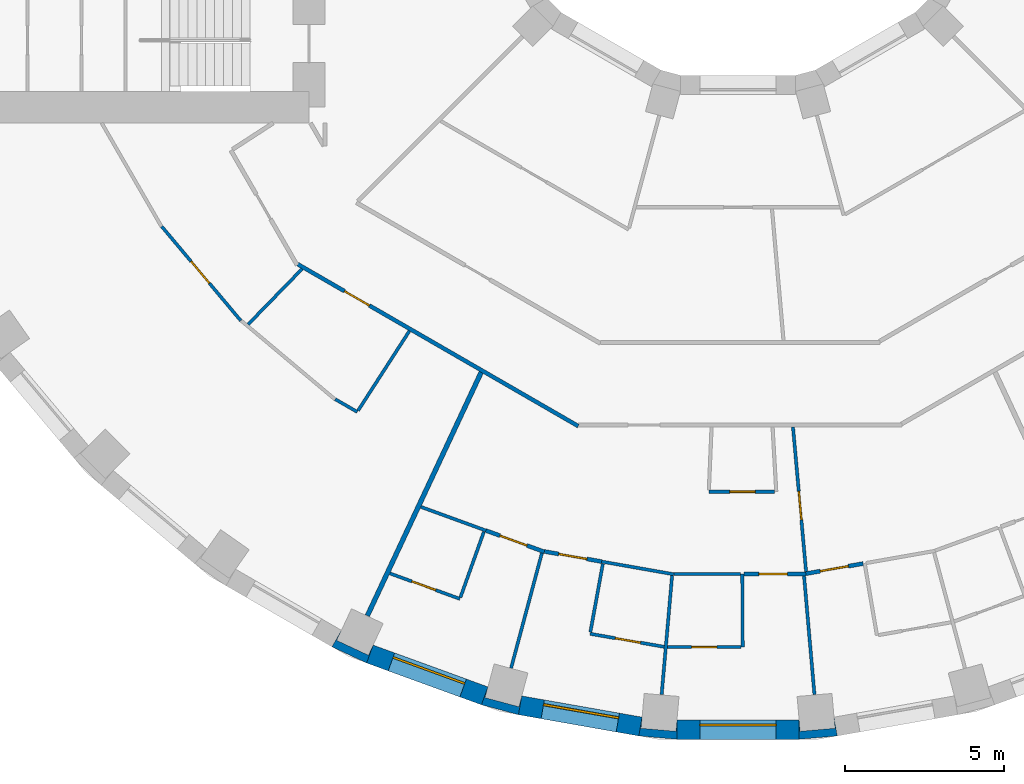
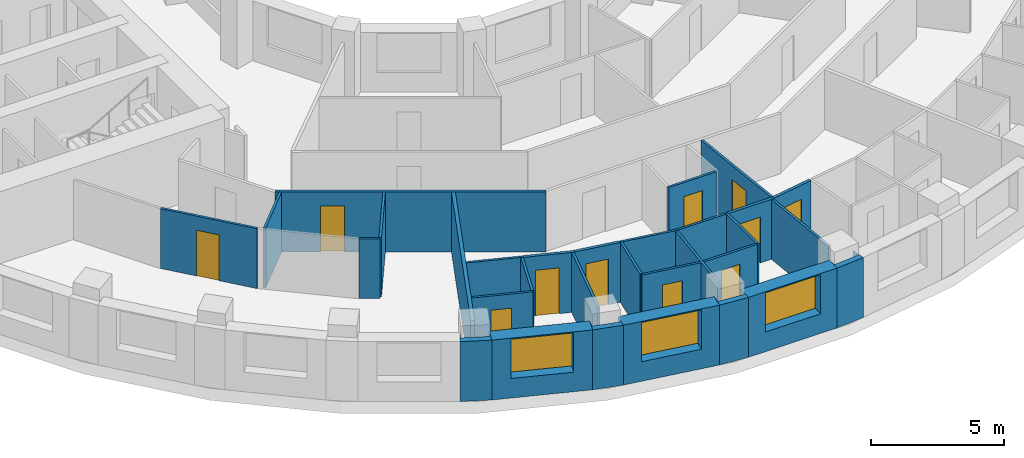
# One storey, part 4 of 15: 31 walls, 11 doors, 3 windows, 14 openings.
"""IFC4 building model written with IfcOpenShell, lengths in metres."""

from ifc_helpers import new_model, si_unit, direction, frame, frame_2d, origin, place, context, subcontext, project, spatial, polyline, rectangle, outline, extrude, material, layer, layer_set, type_object, element, fill, save


model = new_model("IFC4")

# Units and contexts
model_context = context("Model", 3, precision=1e-05, world=origin(), true_north=direction((0.0, 1.0)))
body_context = subcontext(model_context, "Body", "Model", "MODEL_VIEW")
ifc_project = project(units=[si_unit("LENGTHUNIT", "METRE"), si_unit("AREAUNIT", "SQUARE_METRE"), si_unit("VOLUMEUNIT", "CUBIC_METRE"), si_unit("PLANEANGLEUNIT", "RADIAN"), si_unit("MASSUNIT", "GRAM", prefix="KILO")], contexts=[model_context])

# Site, building, storey
site_placement = place(None, origin())
site = spatial("IfcSite", under=ifc_project, at=site_placement, CompositionType="ELEMENT")
building_placement = place(site_placement, origin())
building = spatial("IfcBuilding", under=site, at=building_placement, Name="Saqina Gate Tower", CompositionType="ELEMENT")
storey_placement = place(building_placement, frame((0.0, 0.0, 59.300048828125)))
storey = spatial("IfcBuildingStorey", under=building, at=storey_placement, Name="L16", CompositionType="ELEMENT", Elevation=59.300048828125)

# Walls
ifc_material_1 = material(Name="Brick masonry (red)", Category="masonry")
wall_type_1 = type_object("IfcWallType", Name="BRICK PIER COPING RED", PredefinedType="SOLIDWALL", material=ifc_material_1)
wall_1_placement = place(storey_placement, origin())
element("IfcWall", 1, at=wall_1_placement, inside=storey, type_object=wall_type_1, Name="Pier cap L16 column 25", PredefinedType="SOLIDWALL", context=body_context, shape_type="SweptSolid", body=[
    extrude(outline(polyline([(-11.687744140625, -26.48974609375), (-11.482666015625, -25.92578125), (-11.630615234375, -26.243408203125), (-12.627685546875, -25.778564453125), (-12.4794921875, -25.4609375), (-12.779541015625, -25.980712890625), (-11.687744140625, -26.48974609375)])), origin(), (0.0, 0.0, 1.0), 2.75),
])
wall_2_placement = place(storey_placement, origin())
element("IfcWall", 2, at=wall_2_placement, inside=storey, type_object=wall_type_1, Name="Pier cap L16 column 26", PredefinedType="SOLIDWALL", context=body_context, shape_type="SweptSolid", body=[
    extrude(outline(polyline([(-6.910400390625, -28.11669921875), (-6.80615234375, -27.52587890625), (-6.896728515625, -27.864501953125), (-7.95947265625, -27.57958984375), (-7.86865234375, -27.2412109375), (-8.073974609375, -27.80517578125), (-6.910400390625, -28.11669921875)])), origin(), (0.0, 0.0, 1.0), 2.75),
])
wall_3_placement = place(storey_placement, origin())
element("IfcWall", 3, at=wall_3_placement, inside=storey, type_object=wall_type_1, Name="Pier cap L16 column 27", PredefinedType="SOLIDWALL", context=body_context, shape_type="SweptSolid", body=[
    extrude(outline(polyline([(-3.122802734375, -28.78466796875), (-1.9228515625, -28.8896484375), (-1.9228515625, -28.28955078125), (-1.95361328125, -28.638671875), (-3.04931640625, -28.54296875), (-3.018798828125, -28.19384765625), (-3.122802734375, -28.78466796875)])), origin(), (0.0, 0.0, 1.0), 2.75),
])
wall_4_placement = place(storey_placement, origin())
element("IfcWall", 4, at=wall_4_placement, inside=storey, type_object=wall_type_1, Name="Pier cap L16 column 28", PredefinedType="SOLIDWALL", context=body_context, shape_type="SweptSolid", body=[
    extrude(outline(polyline([(1.9228515625, -28.8896484375), (3.122802734375, -28.78466796875), (3.018798828125, -28.19384765625), (3.04931640625, -28.54296875), (1.95361328125, -28.638671875), (1.9228515625, -28.28955078125), (1.9228515625, -28.8896484375)])), origin(), (0.0, 0.0, 1.0), 2.75),
])

# Wall, opening, window
ifc_material_2 = material(Name="Brick masonry (red)", Category="masonry")
ifc_layer_1 = layer(ifc_material_2, 0.60009765625)
ifc_layer_set_1 = layer_set([ifc_layer_1], Name="FW-BRICK-RED")
wall_type_2 = type_object("IfcWallType", Name="FW-BRICK-RED", PredefinedType="SOLIDWALL", material=ifc_layer_set_1)
wall_5_placement = place(storey_placement, frame((-11.585205078125, -26.207763671875, 0.0), z_axis=(0.0, 0.0, 1.0), x_axis=(0.939689588564, -0.342028474173, 0.0)))
wall_5 = element("IfcWall", 5, at=wall_5_placement, inside=storey, type_object=wall_type_2, Name="Facade wall L16 facet 25", PredefinedType="SOLIDWALL", context=body_context, shape_type="SweptSolid", body=[
    extrude(rectangle(XDim=3.845947265625, YDim=0.60009765625, at=frame_2d((1.9228515625, 0.0))), origin(), (0.0, 0.0, 1.0), 2.75),
])
opening_1_placement = place(wall_5_placement, frame((0.722900390625, 0.0, 0.89990234375)))
opening_1 = element("IfcOpeningElement", 6, at=opening_1_placement, cuts=wall_5, Name="Opening G04-W15", PredefinedType="OPENING", context=body_context, shape_type="SweptSolid", body=[
    extrude(rectangle(XDim=2.39990234375, YDim=1.800048828125, at=frame_2d((1.199951171875, 0.89990234375))), frame((0.0, 0.31201171875, 0.0), z_axis=(0.0, -1.0, 0.0), x_axis=(1.0, 0.0, 0.0)), (0.0, 0.0, 1.0), 0.6240234375),
])
ifc_material_3 = material(Name="Aluminium glazing", Category="aluminium")
window_type = type_object("IfcWindowType", Name="WN-A", PartitioningType="SINGLE_PANEL", PredefinedType="WINDOW", material=ifc_material_3)
window_1_placement = place(opening_1_placement, origin())
window_1 = element("IfcWindow", 7, at=window_1_placement, inside=storey, type_object=window_type, Name="Window L16 facet 25", OverallHeight=1.800048828125, OverallWidth=2.39990234375, PartitioningType="SINGLE_PANEL", PredefinedType="WINDOW", context=body_context, shape_type="SweptSolid", body=[
    extrude(rectangle(XDim=2.39990234375, YDim=1.800048828125, at=frame_2d((1.199951171875, 0.89990234375))), frame((0.0, 0.179931640625, 0.0), z_axis=(0.0, -1.0, 0.0), x_axis=(1.0, 0.0, 0.0)), (0.0, 0.0, 1.0), 0.06005859375),
])
fill(opening_1, window_1)

wall_6_placement = place(storey_placement, frame((-6.858154296875, -27.8212890625, 0.0), z_axis=(0.0, 0.0, 1.0), x_axis=(0.984800809218, -0.173687553279, 0.0)))
wall_6 = element("IfcWall", 8, at=wall_6_placement, inside=storey, type_object=wall_type_2, Name="Facade wall L16 facet 26", PredefinedType="SOLIDWALL", context=body_context, shape_type="SweptSolid", body=[
    extrude(rectangle(XDim=3.845703125, YDim=0.60009765625, at=frame_2d((1.9228515625, 0.0))), origin(), (0.0, 0.0, 1.0), 2.75),
])
opening_2_placement = place(wall_6_placement, frame((0.722900390625, 0.0, 0.89990234375)))
opening_2 = element("IfcOpeningElement", 9, at=opening_2_placement, cuts=wall_6, Name="Opening G04-W16", PredefinedType="OPENING", context=body_context, shape_type="SweptSolid", body=[
    extrude(rectangle(XDim=2.39990234375, YDim=1.800048828125, at=frame_2d((1.199951171875, 0.89990234375))), frame((0.0, 0.31201171875, 0.0), z_axis=(0.0, -1.0, 0.0), x_axis=(1.0, 0.0, 0.0)), (0.0, 0.0, 1.0), 0.6240234375),
])
window_2_placement = place(opening_2_placement, origin())
window_2 = element("IfcWindow", 10, at=window_2_placement, inside=storey, type_object=window_type, Name="Window L16 facet 26", OverallHeight=1.800048828125, OverallWidth=2.39990234375, PartitioningType="SINGLE_PANEL", PredefinedType="WINDOW", context=body_context, shape_type="SweptSolid", body=[
    extrude(rectangle(XDim=2.39990234375, YDim=1.800048828125, at=frame_2d((1.199951171875, 0.89990234375))), frame((0.0, 0.179931640625, 0.0), z_axis=(0.0, -1.0, 0.0), x_axis=(1.0, 0.0, 0.0)), (0.0, 0.0, 1.0), 0.06005859375),
])
fill(opening_2, window_2)

wall_7_placement = place(storey_placement, frame((-1.9228515625, -28.589599609375, 0.0), z_axis=(0.0, 0.0, 1.0), x_axis=(1.0, 0.0, 0.0)))
wall_7 = element("IfcWall", 11, at=wall_7_placement, inside=storey, type_object=wall_type_2, Name="Facade wall L16 facet 27", PredefinedType="SOLIDWALL", context=body_context, shape_type="SweptSolid", body=[
    extrude(rectangle(XDim=3.845703125, YDim=0.60009765625, at=frame_2d((1.9228515625, 0.0))), origin(), (0.0, 0.0, 1.0), 2.75),
])
opening_3_placement = place(wall_7_placement, frame((0.722900390625, 0.0, 0.89990234375)))
opening_3 = element("IfcOpeningElement", 12, at=opening_3_placement, cuts=wall_7, Name="Opening G04-W17", PredefinedType="OPENING", context=body_context, shape_type="SweptSolid", body=[
    extrude(rectangle(XDim=2.39990234375, YDim=1.800048828125, at=frame_2d((1.199951171875, 0.89990234375))), frame((0.0, 0.31201171875, 0.0), z_axis=(0.0, -1.0, 0.0), x_axis=(1.0, 0.0, 0.0)), (0.0, 0.0, 1.0), 0.6240234375),
])
window_3_placement = place(opening_3_placement, origin())
window_3 = element("IfcWindow", 13, at=window_3_placement, inside=storey, type_object=window_type, Name="Window L16 facet 27", OverallHeight=1.800048828125, OverallWidth=2.39990234375, PartitioningType="SINGLE_PANEL", PredefinedType="WINDOW", context=body_context, shape_type="SweptSolid", body=[
    extrude(rectangle(XDim=2.39990234375, YDim=1.800048828125, at=frame_2d((1.199951171875, 0.89990234375))), frame((0.0, 0.179931640625, 0.0), z_axis=(0.0, -1.0, 0.0), x_axis=(1.0, 0.0, 0.0)), (0.0, 0.0, 1.0), 0.06005859375),
])
fill(opening_3, window_3)

# Walls
ifc_material_4 = material(Name="Gypsum board on steel studs, 100 mm", Category="steel")
ifc_layer_2 = layer(ifc_material_4, 0.10009765625)
ifc_layer_set_2 = layer_set([ifc_layer_2], Name="PARTITION 100")
wall_type_3 = type_object("IfcWallType", Name="PARTITION 100", PredefinedType="PARTITIONING", material=ifc_layer_set_2)
wall_8_placement = place(storey_placement, frame((0.133056640625, -23.68994140625, 0.0), z_axis=(0.0, 0.0, 1.0), x_axis=(0.005625640731, -0.999984175958, 0.0)))
element("IfcWall", 14, at=wall_8_placement, inside=storey, type_object=wall_type_3, Name="PARTITION PW3-01", PredefinedType="PARTITIONING", context=body_context, shape_type="SweptSolid", body=[
    extrude(rectangle(XDim=2.300048828125, YDim=0.10009765625, at=frame_2d((1.14990234375, 0.0))), origin(), (0.0, 0.0, 1.0), 2.75),
])
wall_9_placement = place(storey_placement, frame((2.07666015625, -23.75244140625, 0.0), z_axis=(0.0, 0.0, 1.0), x_axis=(0.087439331166, -0.996169846645, 0.0)))
element("IfcWall", 15, at=wall_9_placement, inside=storey, type_object=wall_type_3, Name="PARTITION PW3-03", PredefinedType="PARTITIONING", context=body_context, shape_type="SweptSolid", body=[
    extrude(rectangle(XDim=3.7470703125, YDim=0.10009765625, at=frame_2d((1.87353515625, 0.0))), origin(), (0.0, 0.0, 1.0), 2.75),
])

# Wall, opening, door
wall_10_placement = place(storey_placement, frame((1.7275390625, -19.062255859375, 0.0), z_axis=(0.0, 0.0, 1.0), x_axis=(0.090314228744, -0.995913319565, 0.0)))
wall_10 = element("IfcWall", 16, at=wall_10_placement, inside=storey, type_object=wall_type_3, Name="PARTITION PW3-06", PredefinedType="PARTITIONING", context=body_context, shape_type="SweptSolid", body=[
    extrude(rectangle(XDim=4.5712890625, YDim=0.10009765625, at=frame_2d((2.28564453125, 0.0))), origin(), (0.0, 0.0, 1.0), 2.75),
])
opening_4_placement = place(wall_10_placement, frame((2.03564453125, 0.0, 0.0)))
opening_4 = element("IfcOpeningElement", 17, at=opening_4_placement, cuts=wall_10, Name="Opening G04-D51", PredefinedType="OPENING", context=body_context, shape_type="SweptSolid", body=[
    extrude(rectangle(XDim=0.89990234375, YDim=2.10009765625, at=frame_2d((0.449951171875, 1.050048828125))), frame((0.0, 0.06201171875, 0.0), z_axis=(0.0, -1.0, 0.0), x_axis=(1.0, 0.0, 0.0)), (0.0, 0.0, 1.0), 0.1240234375),
])
ifc_material_5 = material(Name="Timber door leaf, 900 mm", Category="wood")
door_type_1 = type_object("IfcDoorType", Name="DOOR 900 TIMBER", OperationType="SINGLE_SWING_LEFT", PredefinedType="DOOR", material=ifc_material_5)
door_1_placement = place(opening_4_placement, frame((0.89990234375, 0.0, 0.0), z_axis=(0.0, 0.0, 1.0), x_axis=(-1.0, 0.0, 0.0)))
door_1 = element("IfcDoor", 18, at=door_1_placement, inside=storey, type_object=door_type_1, Name="DOOR G04-D51", OperationType="SINGLE_SWING_RIGHT", OverallHeight=2.10009765625, OverallWidth=0.89990234375, PredefinedType="DOOR", context=body_context, shape_type="SweptSolid", body=[
    extrude(rectangle(XDim=0.89990234375, YDim=2.10009765625, at=frame_2d((0.449951171875, 1.050048828125))), frame((0.0, 0.02490234375, 0.0), z_axis=(0.0, -1.0, 0.0), x_axis=(1.0, 0.0, 0.0)), (0.0, 0.0, 1.0), 0.050048828125),
])
fill(opening_4, door_1)

wall_11_placement = place(storey_placement, frame((-18.1318359375, -12.75634765625, 0.0), z_axis=(0.0, 0.0, 1.0), x_axis=(0.642851400185, -0.765990912009, 0.0)))
wall_11 = element("IfcWall", 19, at=wall_11_placement, inside=storey, type_object=wall_type_3, Name="PARTITION PW3-21", PredefinedType="PARTITIONING", context=body_context, shape_type="SweptSolid", body=[
    extrude(rectangle(XDim=3.8662109375, YDim=0.10009765625, at=frame_2d((1.93310546875, 0.0))), origin(), (0.0, 0.0, 1.0), 2.75),
])
opening_5_placement = place(wall_11_placement, frame((1.432861328125, 0.0, 0.0)))
opening_5 = element("IfcOpeningElement", 20, at=opening_5_placement, cuts=wall_11, Name="Opening G04-D38", PredefinedType="OPENING", context=body_context, shape_type="SweptSolid", body=[
    extrude(rectangle(XDim=0.89990234375, YDim=2.10009765625, at=frame_2d((0.449951171875, 1.050048828125))), frame((0.0, 0.06201171875, 0.0), z_axis=(0.0, -1.0, 0.0), x_axis=(1.0, 0.0, 0.0)), (0.0, 0.0, 1.0), 0.1240234375),
])
door_2_placement = place(opening_5_placement, frame((0.89990234375, 0.0, 0.0), z_axis=(0.0, 0.0, 1.0), x_axis=(-1.0, 0.0, 0.0)))
door_2 = element("IfcDoor", 21, at=door_2_placement, inside=storey, type_object=door_type_1, Name="DOOR G04-D38", OperationType="SINGLE_SWING_RIGHT", OverallHeight=2.10009765625, OverallWidth=0.89990234375, PredefinedType="DOOR", context=body_context, shape_type="SweptSolid", body=[
    extrude(rectangle(XDim=0.89990234375, YDim=2.10009765625, at=frame_2d((0.449951171875, 1.050048828125))), frame((0.0, 0.02490234375, 0.0), z_axis=(0.0, -1.0, 0.0), x_axis=(1.0, 0.0, 0.0)), (0.0, 0.0, 1.0), 0.050048828125),
])
fill(opening_5, door_2)

# Wall
wall_12_placement = place(storey_placement, frame((-12.6748046875, -18.18896484375, 0.0), z_axis=(0.0, 0.0, 1.0), x_axis=(0.865961984968, -0.500109828528, 0.0)))
element("IfcWall", 22, at=wall_12_placement, inside=storey, type_object=wall_type_3, Name="PARTITION PW3-39", PredefinedType="PARTITIONING", context=body_context, shape_type="SweptSolid", body=[
    extrude(rectangle(XDim=0.800048828125, YDim=0.10009765625, at=frame_2d((0.39990234375, 0.0))), origin(), (0.0, 0.0, 1.0), 2.75),
])

# Wall, opening, door
wall_13_placement = place(storey_placement, frame((-10.95458984375, -23.670654296875, 0.0), z_axis=(0.0, 0.0, 1.0), x_axis=(0.939750838969, -0.341860147805, 0.0)))
wall_13 = element("IfcWall", 23, at=wall_13_placement, inside=storey, type_object=wall_type_3, Name="PARTITION PW3-47", PredefinedType="PARTITIONING", context=body_context, shape_type="SweptSolid", body=[
    extrude(rectangle(XDim=2.34375, YDim=0.10009765625, at=frame_2d((1.171875, 0.0))), origin(), (0.0, 0.0, 1.0), 2.75),
])
opening_6_placement = place(wall_13_placement, frame((0.734375, 0.0, 0.0)))
opening_6 = element("IfcOpeningElement", 24, at=opening_6_placement, cuts=wall_13, Name="Opening G04-D42", PredefinedType="OPENING", context=body_context, shape_type="SweptSolid", body=[
    extrude(rectangle(XDim=0.800048828125, YDim=2.10009765625, at=frame_2d((0.39990234375, 1.050048828125))), frame((0.0, 0.06201171875, 0.0), z_axis=(0.0, -1.0, 0.0), x_axis=(1.0, 0.0, 0.0)), (0.0, 0.0, 1.0), 0.1240234375),
])
ifc_material_6 = material(Name="Timber door leaf, 800 mm", Category="wood")
door_type_2 = type_object("IfcDoorType", Name="DOOR 800 TIMBER", OperationType="SINGLE_SWING_LEFT", PredefinedType="DOOR", material=ifc_material_6)
door_3_placement = place(opening_6_placement, frame((0.800048828125, 0.0, 0.0), z_axis=(0.0, 0.0, 1.0), x_axis=(-1.0, 0.0, 0.0)))
door_3 = element("IfcDoor", 25, at=door_3_placement, inside=storey, type_object=door_type_2, Name="DOOR G04-D42", OperationType="SINGLE_SWING_RIGHT", OverallHeight=2.10009765625, OverallWidth=0.800048828125, PredefinedType="DOOR", context=body_context, shape_type="SweptSolid", body=[
    extrude(rectangle(XDim=0.800048828125, YDim=2.10009765625, at=frame_2d((0.39990234375, 1.050048828125))), frame((0.0, 0.02490234375, 0.0), z_axis=(0.0, -1.0, 0.0), x_axis=(1.0, 0.0, 0.0)), (0.0, 0.0, 1.0), 0.050048828125),
])
fill(opening_6, door_3)

# Wall
wall_14_placement = place(storey_placement, frame((-9.9794921875, -21.57763671875, 0.0), z_axis=(0.0, 0.0, 1.0), x_axis=(0.939731280586, -0.341913907714, 0.0)))
element("IfcWall", 26, at=wall_14_placement, inside=storey, type_object=wall_type_3, Name="PARTITION PW3-48", PredefinedType="PARTITIONING", context=body_context, shape_type="SweptSolid", body=[
    extrude(rectangle(XDim=2.179931640625, YDim=0.10009765625, at=frame_2d((1.08984375, 0.0))), origin(), (0.0, 0.0, 1.0), 2.75),
])

# Wall, opening, door
wall_15_placement = place(storey_placement, frame((-4.656005859375, -25.570068359375, 0.0), z_axis=(0.0, 0.0, 1.0), x_axis=(0.984821926169, -0.173567778511, 0.0)))
wall_15 = element("IfcWall", 27, at=wall_15_placement, inside=storey, type_object=wall_type_3, Name="PARTITION PW3-51", PredefinedType="PARTITIONING", context=body_context, shape_type="SweptSolid", body=[
    extrude(rectangle(XDim=2.36865234375, YDim=0.10009765625, at=frame_2d((1.184326171875, 0.0))), origin(), (0.0, 0.0, 1.0), 2.75),
])
opening_7_placement = place(wall_15_placement, frame((0.809326171875, 0.0, 0.0)))
opening_7 = element("IfcOpeningElement", 28, at=opening_7_placement, cuts=wall_15, Name="Opening G04-D46", PredefinedType="OPENING", context=body_context, shape_type="SweptSolid", body=[
    extrude(rectangle(XDim=0.800048828125, YDim=2.10009765625, at=frame_2d((0.39990234375, 1.050048828125))), frame((0.0, 0.06201171875, 0.0), z_axis=(0.0, -1.0, 0.0), x_axis=(1.0, 0.0, 0.0)), (0.0, 0.0, 1.0), 0.1240234375),
])
door_4_placement = place(opening_7_placement, frame((0.800048828125, 0.0, 0.0), z_axis=(0.0, 0.0, 1.0), x_axis=(-1.0, 0.0, 0.0)))
door_4 = element("IfcDoor", 29, at=door_4_placement, inside=storey, type_object=door_type_2, Name="DOOR G04-D46", OperationType="SINGLE_SWING_LEFT", OverallHeight=2.10009765625, OverallWidth=0.800048828125, PredefinedType="DOOR", context=body_context, shape_type="SweptSolid", body=[
    extrude(rectangle(XDim=0.800048828125, YDim=2.10009765625, at=frame_2d((0.39990234375, 1.050048828125))), frame((0.0, 0.02490234375, 0.0), z_axis=(0.0, -1.0, 0.0), x_axis=(1.0, 0.0, 0.0)), (0.0, 0.0, 1.0), 0.050048828125),
])
fill(opening_7, door_4)

# Wall
wall_16_placement = place(storey_placement, frame((-4.293212890625, -23.29833984375, 0.0), z_axis=(0.0, 0.0, 1.0), x_axis=(0.984801677979, -0.173682627367, 0.0)))
element("IfcWall", 30, at=wall_16_placement, inside=storey, type_object=wall_type_3, Name="PARTITION PW3-52", PredefinedType="PARTITIONING", context=body_context, shape_type="SweptSolid", body=[
    extrude(rectangle(XDim=2.305419921875, YDim=0.10009765625, at=frame_2d((1.15283203125, 0.0))), origin(), (0.0, 0.0, 1.0), 2.75),
])

# Wall, opening, door
wall_17_placement = place(storey_placement, frame((-2.22412109375, -25.989990234375, 0.0), z_axis=(0.0, 0.0, 1.0), x_axis=(1.0, 0.0, 0.0)))
wall_17 = element("IfcWall", 31, at=wall_17_placement, inside=storey, type_object=wall_type_3, Name="PARTITION PW3-55", PredefinedType="PARTITIONING", context=body_context, shape_type="SweptSolid", body=[
    extrude(rectangle(XDim=2.320068359375, YDim=0.10009765625, at=frame_2d((1.16015625, 0.0))), origin(), (0.0, 0.0, 1.0), 2.75),
])
opening_8_placement = place(wall_17_placement, frame((0.760009765625, 0.0, 0.0)))
opening_8 = element("IfcOpeningElement", 32, at=opening_8_placement, cuts=wall_17, Name="Opening G04-D47", PredefinedType="OPENING", context=body_context, shape_type="SweptSolid", body=[
    extrude(rectangle(XDim=0.800048828125, YDim=2.10009765625, at=frame_2d((0.39990234375, 1.050048828125))), frame((0.0, 0.06201171875, 0.0), z_axis=(0.0, -1.0, 0.0), x_axis=(1.0, 0.0, 0.0)), (0.0, 0.0, 1.0), 0.1240234375),
])
door_5_placement = place(opening_8_placement, frame((0.800048828125, 0.0, 0.0), z_axis=(0.0, 0.0, 1.0), x_axis=(-1.0, 0.0, 0.0)))
door_5 = element("IfcDoor", 33, at=door_5_placement, inside=storey, type_object=door_type_2, Name="DOOR G04-D47", OperationType="SINGLE_SWING_RIGHT", OverallHeight=2.10009765625, OverallWidth=0.800048828125, PredefinedType="DOOR", context=body_context, shape_type="SweptSolid", body=[
    extrude(rectangle(XDim=0.800048828125, YDim=2.10009765625, at=frame_2d((0.39990234375, 1.050048828125))), frame((0.0, 0.02490234375, 0.0), z_axis=(0.0, -1.0, 0.0), x_axis=(1.0, 0.0, 0.0)), (0.0, 0.0, 1.0), 0.050048828125),
])
fill(opening_8, door_5)

# Wall
wall_18_placement = place(storey_placement, frame((-2.02294921875, -23.68994140625, 0.0), z_axis=(0.0, 0.0, 1.0), x_axis=(1.0, 0.0, 0.0)))
element("IfcWall", 34, at=wall_18_placement, inside=storey, type_object=wall_type_3, Name="PARTITION PW3-56", PredefinedType="PARTITIONING", context=body_context, shape_type="SweptSolid", body=[
    extrude(rectangle(XDim=2.10595703125, YDim=0.10009765625, at=frame_2d((1.052978515625, 0.0))), origin(), (0.0, 0.0, 1.0), 2.75),
])

# Wall, opening, door
wall_19_placement = place(storey_placement, frame((-0.9208984375, -21.10009765625, 0.0), z_axis=(0.0, 0.0, 1.0), x_axis=(1.0, 0.0, 0.0)))
wall_19 = element("IfcWall", 35, at=wall_19_placement, inside=storey, type_object=wall_type_3, Name="PARTITION PW3-57", PredefinedType="PARTITIONING", context=body_context, shape_type="SweptSolid", body=[
    extrude(rectangle(XDim=2.072998046875, YDim=0.10009765625, at=frame_2d((1.03662109375, 0.0))), origin(), (0.0, 0.0, 1.0), 2.75),
])
opening_9_placement = place(wall_19_placement, frame((0.66162109375, 0.0, 0.0)))
opening_9 = element("IfcOpeningElement", 36, at=opening_9_placement, cuts=wall_19, Name="Opening G04-D49", PredefinedType="OPENING", context=body_context, shape_type="SweptSolid", body=[
    extrude(rectangle(XDim=0.800048828125, YDim=2.10009765625, at=frame_2d((0.39990234375, 1.050048828125))), frame((0.0, 0.06201171875, 0.0), z_axis=(0.0, -1.0, 0.0), x_axis=(1.0, 0.0, 0.0)), (0.0, 0.0, 1.0), 0.1240234375),
])
door_6_placement = place(opening_9_placement, frame((0.800048828125, 0.0, 0.0), z_axis=(0.0, 0.0, 1.0), x_axis=(-1.0, 0.0, 0.0)))
door_6 = element("IfcDoor", 37, at=door_6_placement, inside=storey, type_object=door_type_2, Name="DOOR G04-D49", OperationType="SINGLE_SWING_LEFT", OverallHeight=2.10009765625, OverallWidth=0.800048828125, PredefinedType="DOOR", context=body_context, shape_type="SweptSolid", body=[
    extrude(rectangle(XDim=0.800048828125, YDim=2.10009765625, at=frame_2d((0.39990234375, 1.050048828125))), frame((0.0, 0.02490234375, 0.0), z_axis=(0.0, -1.0, 0.0), x_axis=(1.0, 0.0, 0.0)), (0.0, 0.0, 1.0), 0.050048828125),
])
fill(opening_9, door_6)

# Walls
wall_20_placement = place(storey_placement, frame((-15.4150390625, -15.835205078125, 0.0), z_axis=(0.0, 0.0, 1.0), x_axis=(0.697366094861, 0.716715096631, 0.0)))
element("IfcWall", 38, at=wall_20_placement, inside=storey, type_object=wall_type_3, Name="PARTITION PW3-83", PredefinedType="PARTITIONING", context=body_context, shape_type="SweptSolid", body=[
    extrude(rectangle(XDim=2.435302734375, YDim=0.10009765625, at=frame_2d((1.2177734375, 0.0))), origin(), (0.0, 0.0, 1.0), 2.75),
])
wall_21_placement = place(storey_placement, frame((-11.954833984375, -18.546875, 0.0), z_axis=(0.0, 0.0, 1.0), x_axis=(0.541837653492, 0.840483168932, 0.0)))
element("IfcWall", 39, at=wall_21_placement, inside=storey, type_object=wall_type_3, Name="PARTITION PW3-90", PredefinedType="PARTITIONING", context=body_context, shape_type="SweptSolid", body=[
    extrude(rectangle(XDim=2.98046875, YDim=0.10009765625, at=frame_2d((1.490234375, 0.0))), origin(), (0.0, 0.0, 1.0), 2.75),
])
wall_22_placement = place(storey_placement, frame((-8.735107421875, -24.4248046875, 0.0), z_axis=(0.0, 0.0, 1.0), x_axis=(0.336477788464, 0.941691402674, 0.0)))
element("IfcWall", 40, at=wall_22_placement, inside=storey, type_object=wall_type_3, Name="PARTITION PW3-103", PredefinedType="PARTITIONING", context=body_context, shape_type="SweptSolid", body=[
    extrude(rectangle(XDim=2.1875, YDim=0.10009765625, at=frame_2d((1.09375, 0.0))), origin(), (0.0, 0.0, 1.0), 2.75),
])
wall_23_placement = place(storey_placement, frame((-7.14111328125, -26.64990234375, 0.0), z_axis=(0.0, 0.0, 1.0), x_axis=(0.258842464283, 0.965919550834, 0.0)))
element("IfcWall", 41, at=wall_23_placement, inside=storey, type_object=wall_type_3, Name="PARTITION PW3-106", PredefinedType="PARTITIONING", context=body_context, shape_type="SweptSolid", body=[
    extrude(rectangle(XDim=3.747314453125, YDim=0.10009765625, at=frame_2d((1.87353515625, 0.0))), origin(), (0.0, 0.0, 1.0), 2.75),
])
wall_24_placement = place(storey_placement, frame((-4.64697265625, -25.520751953125, 0.0), z_axis=(0.0, 0.0, 1.0), x_axis=(0.179130970408, 0.983825236229, 0.0)))
element("IfcWall", 42, at=wall_24_placement, inside=storey, type_object=wall_type_3, Name="PARTITION PW3-109", PredefinedType="PARTITIONING", context=body_context, shape_type="SweptSolid", body=[
    extrude(rectangle(XDim=2.1875, YDim=0.10009765625, at=frame_2d((1.09375, 0.0))), origin(), (0.0, 0.0, 1.0), 2.75),
])
wall_25_placement = place(storey_placement, frame((-2.404296875, -27.485107421875, 0.0), z_axis=(0.0, 0.0, 1.0), x_axis=(0.087473063517, 0.996166885195, 0.0)))
element("IfcWall", 43, at=wall_25_placement, inside=storey, type_object=wall_type_3, Name="PARTITION PW3-111", PredefinedType="PARTITIONING", context=body_context, shape_type="SweptSolid", body=[
    extrude(rectangle(XDim=3.759521484375, YDim=0.10009765625, at=frame_2d((1.8798828125, 0.0))), origin(), (0.0, 0.0, 1.0), 2.75),
])

# Wall, opening, door
ifc_material_7 = material(Name="Gypsum board on steel studs, 125 mm, fire rated", Category="steel")
ifc_layer_3 = layer(ifc_material_7, 0.125)
ifc_layer_set_3 = layer_set([ifc_layer_3], Name="PARTITION EI 30 125")
wall_type_4 = type_object("IfcWallType", Name="PARTITION EI 30 125", PredefinedType="PARTITIONING", material=ifc_layer_set_3)
wall_26_placement = place(storey_placement, frame((-13.85498046875, -13.940185546875, 0.0), z_axis=(0.0, 0.0, 1.0), x_axis=(0.866024825845, -0.50000100102, 0.0)))
wall_26 = element("IfcWall", 44, at=wall_26_placement, inside=storey, type_object=wall_type_4, Name="PARTITION PW1-10", PredefinedType="PARTITIONING", context=body_context, shape_type="SweptSolid", body=[
    extrude(rectangle(XDim=10.19189453125, YDim=0.125, at=frame_2d((5.095947265625, 0.0))), origin(), (0.0, 0.0, 1.0), 2.75),
])
opening_10_placement = place(wall_26_placement, frame((1.703857421875, 0.0, 0.0)))
opening_10 = element("IfcOpeningElement", 45, at=opening_10_placement, cuts=wall_26, Name="Opening G04-D39", PredefinedType="OPENING", context=body_context, shape_type="SweptSolid", body=[
    extrude(rectangle(XDim=0.89990234375, YDim=2.10009765625, at=frame_2d((0.449951171875, 1.050048828125))), frame((0.0, 0.074462890625, 0.0), z_axis=(0.0, -1.0, 0.0), x_axis=(1.0, 0.0, 0.0)), (0.0, 0.0, 1.0), 0.14892578125),
])
ifc_material_8 = material(Name="Fire door leaf EI 30, 900 mm")
door_type_3 = type_object("IfcDoorType", Name="DOOR 900 EI 30", OperationType="SINGLE_SWING_LEFT", PredefinedType="DOOR", material=ifc_material_8)
door_7_placement = place(opening_10_placement, frame((0.89990234375, 0.0, 0.0), z_axis=(0.0, 0.0, 1.0), x_axis=(-1.0, 0.0, 0.0)))
door_7 = element("IfcDoor", 46, at=door_7_placement, inside=storey, type_object=door_type_3, Name="DOOR G04-D39", OperationType="SINGLE_SWING_RIGHT", OverallHeight=2.10009765625, OverallWidth=0.89990234375, PredefinedType="DOOR", context=body_context, shape_type="SweptSolid", body=[
    extrude(rectangle(XDim=0.89990234375, YDim=2.10009765625, at=frame_2d((0.449951171875, 1.050048828125))), frame((0.0, 0.02490234375, 0.0), z_axis=(0.0, -1.0, 0.0), x_axis=(1.0, 0.0, 0.0)), (0.0, 0.0, 1.0), 0.050048828125),
])
fill(opening_10, door_7)

wall_27_placement = place(storey_placement, frame((-7.930908203125, -22.322998046875, 0.0), z_axis=(0.0, 0.0, 1.0), x_axis=(0.9395852567, -0.342314979795, 0.0)))
wall_27 = element("IfcWall", 47, at=wall_27_placement, inside=storey, type_object=wall_type_4, Name="PARTITION PW1-17", PredefinedType="PARTITIONING", context=body_context, shape_type="SweptSolid", body=[
    extrude(rectangle(XDim=1.953369140625, YDim=0.125, at=frame_2d((0.9765625, 0.0))), origin(), (0.0, 0.0, 1.0), 2.75),
])
opening_11_placement = place(wall_27_placement, frame((0.47021484375, 0.0, 0.0)))
opening_11 = element("IfcOpeningElement", 48, at=opening_11_placement, cuts=wall_27, Name="Opening G04-D43", PredefinedType="OPENING", context=body_context, shape_type="SweptSolid", body=[
    extrude(rectangle(XDim=0.89990234375, YDim=2.10009765625, at=frame_2d((0.449951171875, 1.050048828125))), frame((0.0, 0.074462890625, 0.0), z_axis=(0.0, -1.0, 0.0), x_axis=(1.0, 0.0, 0.0)), (0.0, 0.0, 1.0), 0.14892578125),
])
door_8_placement = place(opening_11_placement, origin())
door_8 = element("IfcDoor", 49, at=door_8_placement, inside=storey, type_object=door_type_3, Name="DOOR G04-D43", OperationType="SINGLE_SWING_RIGHT", OverallHeight=2.10009765625, OverallWidth=0.89990234375, PredefinedType="DOOR", context=body_context, shape_type="SweptSolid", body=[
    extrude(rectangle(XDim=0.89990234375, YDim=2.10009765625, at=frame_2d((0.449951171875, 1.050048828125))), frame((0.0, 0.02490234375, 0.0), z_axis=(0.0, -1.0, 0.0), x_axis=(1.0, 0.0, 0.0)), (0.0, 0.0, 1.0), 0.050048828125),
])
fill(opening_11, door_8)

wall_28_placement = place(storey_placement, frame((-6.093505859375, -22.98095703125, 0.0), z_axis=(0.0, 0.0, 1.0), x_axis=(0.984813123205, -0.173617719035, 0.0)))
wall_28 = element("IfcWall", 50, at=wall_28_placement, inside=storey, type_object=wall_type_4, Name="PARTITION PW1-19", PredefinedType="PARTITIONING", context=body_context, shape_type="SweptSolid", body=[
    extrude(rectangle(XDim=1.828125, YDim=0.125, at=frame_2d((0.9140625, 0.0))), origin(), (0.0, 0.0, 1.0), 2.75),
])
opening_12_placement = place(wall_28_placement, frame((0.457763671875, 0.0, 0.0)))
opening_12 = element("IfcOpeningElement", 51, at=opening_12_placement, cuts=wall_28, Name="Opening G04-D44", PredefinedType="OPENING", context=body_context, shape_type="SweptSolid", body=[
    extrude(rectangle(XDim=0.89990234375, YDim=2.10009765625, at=frame_2d((0.449951171875, 1.050048828125))), frame((0.0, 0.074462890625, 0.0), z_axis=(0.0, -1.0, 0.0), x_axis=(1.0, 0.0, 0.0)), (0.0, 0.0, 1.0), 0.14892578125),
])
door_9_placement = place(opening_12_placement, origin())
door_9 = element("IfcDoor", 52, at=door_9_placement, inside=storey, type_object=door_type_3, Name="DOOR G04-D44", OperationType="SINGLE_SWING_LEFT", OverallHeight=2.10009765625, OverallWidth=0.89990234375, PredefinedType="DOOR", context=body_context, shape_type="SweptSolid", body=[
    extrude(rectangle(XDim=0.89990234375, YDim=2.10009765625, at=frame_2d((0.449951171875, 1.050048828125))), frame((0.0, 0.02490234375, 0.0), z_axis=(0.0, -1.0, 0.0), x_axis=(1.0, 0.0, 0.0)), (0.0, 0.0, 1.0), 0.050048828125),
])
fill(opening_12, door_9)

wall_29_placement = place(storey_placement, frame((0.18310546875, -23.68994140625, 0.0), z_axis=(0.0, 0.0, 1.0), x_axis=(1.0, 0.0, 0.0)))
wall_29 = element("IfcWall", 53, at=wall_29_placement, inside=storey, type_object=wall_type_4, Name="PARTITION PW1-21", PredefinedType="PARTITIONING", context=body_context, shape_type="SweptSolid", body=[
    extrude(rectangle(XDim=1.953369140625, YDim=0.125, at=frame_2d((0.9765625, 0.0))), origin(), (0.0, 0.0, 1.0), 2.75),
])
opening_13_placement = place(wall_29_placement, frame((0.469970703125, 0.0, 0.0)))
opening_13 = element("IfcOpeningElement", 54, at=opening_13_placement, cuts=wall_29, Name="Opening G04-D50", PredefinedType="OPENING", context=body_context, shape_type="SweptSolid", body=[
    extrude(rectangle(XDim=0.89990234375, YDim=2.10009765625, at=frame_2d((0.449951171875, 1.050048828125))), frame((0.0, 0.074462890625, 0.0), z_axis=(0.0, -1.0, 0.0), x_axis=(1.0, 0.0, 0.0)), (0.0, 0.0, 1.0), 0.14892578125),
])
door_10_placement = place(opening_13_placement, origin())
door_10 = element("IfcDoor", 55, at=door_10_placement, inside=storey, type_object=door_type_3, Name="DOOR G04-D50", OperationType="SINGLE_SWING_RIGHT", OverallHeight=2.10009765625, OverallWidth=0.89990234375, PredefinedType="DOOR", context=body_context, shape_type="SweptSolid", body=[
    extrude(rectangle(XDim=0.89990234375, YDim=2.10009765625, at=frame_2d((0.449951171875, 1.050048828125))), frame((0.0, 0.02490234375, 0.0), z_axis=(0.0, -1.0, 0.0), x_axis=(1.0, 0.0, 0.0)), (0.0, 0.0, 1.0), 0.050048828125),
])
fill(opening_13, door_10)

wall_30_placement = place(storey_placement, frame((2.134521484375, -23.67919921875, 0.0), z_axis=(0.0, 0.0, 1.0), x_axis=(0.984774141248, 0.173838691691, 0.0)))
wall_30 = element("IfcWall", 56, at=wall_30_placement, inside=storey, type_object=wall_type_4, Name="PARTITION PW1-27", PredefinedType="PARTITIONING", context=body_context, shape_type="SweptSolid", body=[
    extrude(rectangle(XDim=1.8271484375, YDim=0.125, at=frame_2d((0.91357421875, 0.0))), origin(), (0.0, 0.0, 1.0), 2.75),
])
opening_14_placement = place(wall_30_placement, frame((0.457275390625, 0.0, 0.0)))
opening_14 = element("IfcOpeningElement", 57, at=opening_14_placement, cuts=wall_30, Name="Opening G04-D52", PredefinedType="OPENING", context=body_context, shape_type="SweptSolid", body=[
    extrude(rectangle(XDim=0.89990234375, YDim=2.10009765625, at=frame_2d((0.449951171875, 1.050048828125))), frame((0.0, 0.074462890625, 0.0), z_axis=(0.0, -1.0, 0.0), x_axis=(1.0, 0.0, 0.0)), (0.0, 0.0, 1.0), 0.14892578125),
])
door_11_placement = place(opening_14_placement, origin())
door_11 = element("IfcDoor", 58, at=door_11_placement, inside=storey, type_object=door_type_3, Name="DOOR G04-D52", OperationType="SINGLE_SWING_LEFT", OverallHeight=2.10009765625, OverallWidth=0.89990234375, PredefinedType="DOOR", context=body_context, shape_type="SweptSolid", body=[
    extrude(rectangle(XDim=0.89990234375, YDim=2.10009765625, at=frame_2d((0.449951171875, 1.050048828125))), frame((0.0, 0.02490234375, 0.0), z_axis=(0.0, -1.0, 0.0), x_axis=(1.0, 0.0, 0.0)), (0.0, 0.0, 1.0), 0.050048828125),
])
fill(opening_14, door_11)

# Wall
ifc_material_9 = material(Name="Gypsum board on steel studs, 150 mm, fire rated", Category="steel")
ifc_layer_4 = layer(ifc_material_9, 0.14990234375)
ifc_layer_set_4 = layer_set([ifc_layer_4], Name="PARTITION EI 60 150")
wall_type_5 = type_object("IfcWallType", Name="PARTITION EI 60 150", PredefinedType="PARTITIONING", material=ifc_layer_set_4)
wall_31_placement = place(storey_placement, frame((-11.663818359375, -25.003173828125, 0.0), z_axis=(0.0, 0.0, 1.0), x_axis=(0.423588806437, 0.905854581631, 0.0)))
element("IfcWall", 59, at=wall_31_placement, inside=storey, type_object=wall_type_5, Name="PARTITION PW2-04", PredefinedType="PARTITIONING", context=body_context, shape_type="SweptSolid", body=[
    extrude(rectangle(XDim=8.45458984375, YDim=0.14990234375, at=frame_2d((4.227294921875, 0.0))), origin(), (0.0, 0.0, 1.0), 2.75),
])

save(model, "model.ifc")
